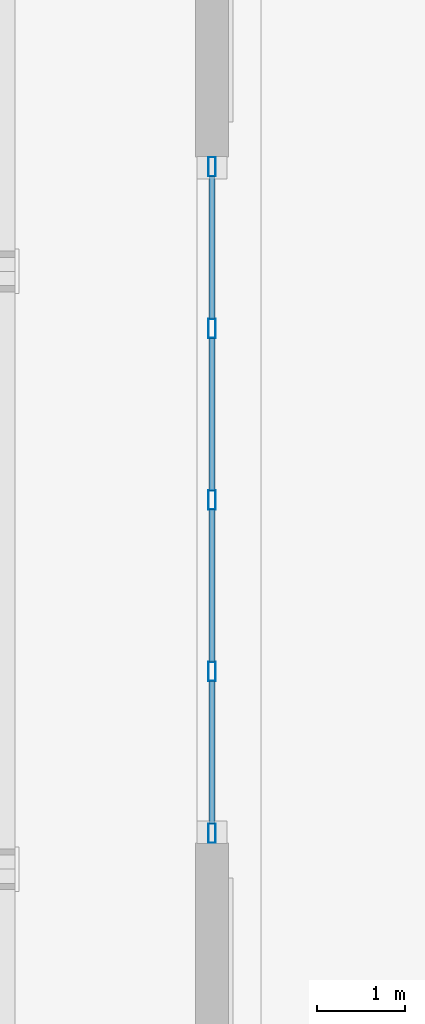
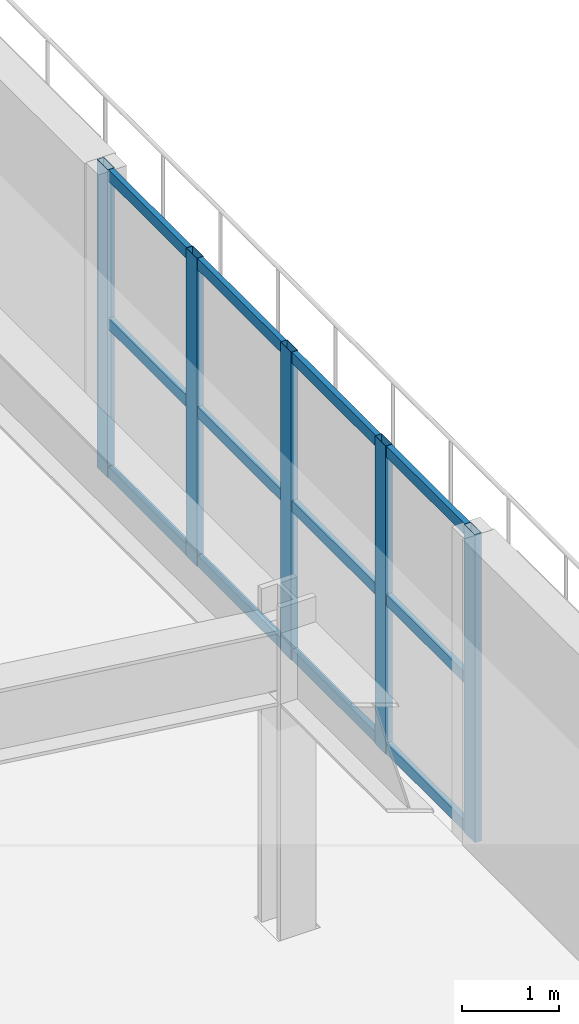
# One storey, part 10 of 22: 17 members, 1 element without a shape of its own.
"""IFC4 building model written with IfcOpenShell, lengths in metres."""

from ifc_helpers import new_model, si_unit, direction, frame, origin, origin_2d, place, context, subcontext, project, spatial, hollow_rectangle, extrude, material, layer, layer_set, material_profile, profile_set, type_object, element, aggregate, save


model = new_model("IFC4")

# Units and contexts
model_context = context("Model", 3, precision=1e-05, world=origin(), true_north=direction((0.0, 1.0)))
body_context = subcontext(model_context, "Body", "Model", "MODEL_VIEW")
ifc_project = project(units=[si_unit("LENGTHUNIT", "METRE"), si_unit("AREAUNIT", "SQUARE_METRE"), si_unit("VOLUMEUNIT", "CUBIC_METRE"), si_unit("PLANEANGLEUNIT", "RADIAN"), si_unit("MASSUNIT", "GRAM", prefix="KILO")], contexts=[model_context])

# Site, building, storey
site_placement = place(None, origin())
site = spatial("IfcSite", under=ifc_project, at=site_placement, CompositionType="ELEMENT")
building_placement = place(site_placement, origin())
building = spatial("IfcBuilding", under=site, at=building_placement, Name="Oramaril Tower", CompositionType="ELEMENT")
storey_placement = place(building_placement, frame((0.0, 0.0, 18.300048828125)))
storey = spatial("IfcBuildingStorey", under=building, at=storey_placement, Name="L04", CompositionType="ELEMENT", Elevation=18.300048828125)

# Curtain wall, members
ifc_material_1 = material(Name="Anodised Aluminium 6063-T6", Category="aluminium")
ifc_layer = layer(ifc_material_1, 0.219970703125)
ifc_layer_set = layer_set([ifc_layer], Name="CWT-SYS2")
curtain_wall_type = type_object("IfcCurtainWallType", Name="CWT-SYS2", PredefinedType="NOTDEFINED", material=ifc_layer_set)
curtain_wall_placement = place(storey_placement, origin())
curtain_wall = element("IfcCurtainWall", 1, at=curtain_wall_placement, inside=storey, type_object=curtain_wall_type, Name="L04 Unitised Curtain Wall CW-2", PredefinedType="NOTDEFINED")
ifc_material_2 = material(Name="Anodised Aluminium 6063-T6", Category="aluminium")
ifc_material_profile_1 = material_profile(ifc_material_2, hollow_rectangle(XDim=0.080078125, YDim=0.219970703125, WallThickness=0.00390625, at=origin_2d()), Name="CWM220X80")
ifc_profile_set_1 = profile_set([ifc_material_profile_1], Name="Anodised Aluminium 6063-T6")
member_type_1 = type_object("IfcMemberType", Name="MT-CWM1", PredefinedType="MULLION", material=ifc_profile_set_1)
member_1_placement = place(storey_placement, frame((68.85009765625, 19.010009765625, 0.0), z_axis=(0.0, 0.0, 1.0), x_axis=(-1.0, 0.0, 0.0)))
member_1 = element("IfcMember", 2, at=member_1_placement, type_object=member_type_1, Name="CW-2 mullion 1", PredefinedType="MULLION", context=body_context, shape_type="SweptSolid", body=[
    extrude(hollow_rectangle(XDim=0.080078125, YDim=0.219970703125, WallThickness=0.00390625, at=origin_2d()), origin(), (0.0, 0.0, 1.0), 3.8798828125),
])
member_2_placement = place(storey_placement, frame((68.85009765625, 20.85009765625, 0.0), z_axis=(0.0, 0.0, 1.0), x_axis=(-1.0, 0.0, 0.0)))
member_2 = element("IfcMember", 3, at=member_2_placement, type_object=member_type_1, Name="CW-2 mullion 2", PredefinedType="MULLION", context=body_context, shape_type="SweptSolid", body=[
    extrude(hollow_rectangle(XDim=0.080078125, YDim=0.219970703125, WallThickness=0.00390625, at=origin_2d()), origin(), (0.0, 0.0, 1.0), 3.8798828125),
])
member_3_placement = place(storey_placement, frame((68.85009765625, 22.800048828125, 0.0), z_axis=(0.0, 0.0, 1.0), x_axis=(-1.0, 0.0, 0.0)))
member_3 = element("IfcMember", 4, at=member_3_placement, type_object=member_type_1, Name="CW-2 mullion 3", PredefinedType="MULLION", context=body_context, shape_type="SweptSolid", body=[
    extrude(hollow_rectangle(XDim=0.080078125, YDim=0.219970703125, WallThickness=0.00390625, at=origin_2d()), origin(), (0.0, 0.0, 1.0), 3.8798828125),
])
member_4_placement = place(storey_placement, frame((68.85009765625, 24.75, 0.0), z_axis=(0.0, 0.0, 1.0), x_axis=(-1.0, 0.0, 0.0)))
member_4 = element("IfcMember", 5, at=member_4_placement, type_object=member_type_1, Name="CW-2 mullion 4", PredefinedType="MULLION", context=body_context, shape_type="SweptSolid", body=[
    extrude(hollow_rectangle(XDim=0.080078125, YDim=0.219970703125, WallThickness=0.00390625, at=origin_2d()), origin(), (0.0, 0.0, 1.0), 3.8798828125),
])
member_5_placement = place(storey_placement, frame((68.85009765625, 26.590087890625, 0.0), z_axis=(0.0, 0.0, 1.0), x_axis=(-1.0, 0.0, 0.0)))
member_5 = element("IfcMember", 6, at=member_5_placement, type_object=member_type_1, Name="CW-2 mullion 5", PredefinedType="MULLION", context=body_context, shape_type="SweptSolid", body=[
    extrude(hollow_rectangle(XDim=0.080078125, YDim=0.219970703125, WallThickness=0.00390625, at=origin_2d()), origin(), (0.0, 0.0, 1.0), 3.8798828125),
])
ifc_material_3 = material(Name="Anodised Aluminium 6063-T6", Category="aluminium")
ifc_material_profile_2 = material_profile(ifc_material_3, hollow_rectangle(XDim=0.06494140625, YDim=0.139892578125, WallThickness=0.00390625, at=origin_2d()), Name="CWT140X65")
ifc_profile_set_2 = profile_set([ifc_material_profile_2], Name="Anodised Aluminium 6063-T6")
member_type_2 = type_object("IfcMemberType", Name="MT-CWT2", PredefinedType="USERDEFINED", material=ifc_profile_set_2)
member_6_placement = place(storey_placement, frame((68.85009765625, 19.1201171875, 0.070068359375), z_axis=(0.0, 1.0, 0.0), x_axis=(-1.0, 0.0, 0.0)))
member_6 = element("IfcMember", 7, at=member_6_placement, type_object=member_type_2, Name="CW-2 transom 1.1", ObjectType="TRANSOM", PredefinedType="USERDEFINED", context=body_context, shape_type="SweptSolid", body=[
    extrude(hollow_rectangle(XDim=0.06494140625, YDim=0.139892578125, WallThickness=0.00390625, at=origin_2d()), origin(), (0.0, 0.0, 1.0), 1.619873046875),
])
member_7_placement = place(storey_placement, frame((68.85009765625, 19.1201171875, 1.93994140625), z_axis=(0.0, 1.0, 0.0), x_axis=(-1.0, 0.0, 0.0)))
member_7 = element("IfcMember", 8, at=member_7_placement, type_object=member_type_2, Name="CW-2 transom 1.2", ObjectType="TRANSOM", PredefinedType="USERDEFINED", context=body_context, shape_type="SweptSolid", body=[
    extrude(hollow_rectangle(XDim=0.06494140625, YDim=0.139892578125, WallThickness=0.00390625, at=origin_2d()), origin(), (0.0, 0.0, 1.0), 1.619873046875),
])
member_8_placement = place(storey_placement, frame((68.85009765625, 19.1201171875, 3.81005859375), z_axis=(0.0, 1.0, 0.0), x_axis=(-1.0, 0.0, 0.0)))
member_8 = element("IfcMember", 9, at=member_8_placement, type_object=member_type_2, Name="CW-2 transom 1.3", ObjectType="TRANSOM", PredefinedType="USERDEFINED", context=body_context, shape_type="SweptSolid", body=[
    extrude(hollow_rectangle(XDim=0.06494140625, YDim=0.139892578125, WallThickness=0.00390625, at=origin_2d()), origin(), (0.0, 0.0, 1.0), 1.619873046875),
])
member_9_placement = place(storey_placement, frame((68.85009765625, 20.9599609375, 0.070068359375), z_axis=(0.0, 1.0, 0.0), x_axis=(-1.0, 0.0, 0.0)))
member_9 = element("IfcMember", 10, at=member_9_placement, type_object=member_type_2, Name="CW-2 transom 2.1", ObjectType="TRANSOM", PredefinedType="USERDEFINED", context=body_context, shape_type="SweptSolid", body=[
    extrude(hollow_rectangle(XDim=0.06494140625, YDim=0.139892578125, WallThickness=0.00390625, at=origin_2d()), origin(), (0.0, 0.0, 1.0), 1.72998046875),
])
member_10_placement = place(storey_placement, frame((68.85009765625, 20.9599609375, 1.93994140625), z_axis=(0.0, 1.0, 0.0), x_axis=(-1.0, 0.0, 0.0)))
member_10 = element("IfcMember", 11, at=member_10_placement, type_object=member_type_2, Name="CW-2 transom 2.2", ObjectType="TRANSOM", PredefinedType="USERDEFINED", context=body_context, shape_type="SweptSolid", body=[
    extrude(hollow_rectangle(XDim=0.06494140625, YDim=0.139892578125, WallThickness=0.00390625, at=origin_2d()), origin(), (0.0, 0.0, 1.0), 1.72998046875),
])
member_11_placement = place(storey_placement, frame((68.85009765625, 20.9599609375, 3.81005859375), z_axis=(0.0, 1.0, 0.0), x_axis=(-1.0, 0.0, 0.0)))
member_11 = element("IfcMember", 12, at=member_11_placement, type_object=member_type_2, Name="CW-2 transom 2.3", ObjectType="TRANSOM", PredefinedType="USERDEFINED", context=body_context, shape_type="SweptSolid", body=[
    extrude(hollow_rectangle(XDim=0.06494140625, YDim=0.139892578125, WallThickness=0.00390625, at=origin_2d()), origin(), (0.0, 0.0, 1.0), 1.72998046875),
])
member_12_placement = place(storey_placement, frame((68.85009765625, 22.909912109375, 0.070068359375), z_axis=(0.0, 1.0, 0.0), x_axis=(-1.0, 0.0, 0.0)))
member_12 = element("IfcMember", 13, at=member_12_placement, type_object=member_type_2, Name="CW-2 transom 3.1", ObjectType="TRANSOM", PredefinedType="USERDEFINED", context=body_context, shape_type="SweptSolid", body=[
    extrude(hollow_rectangle(XDim=0.06494140625, YDim=0.139892578125, WallThickness=0.00390625, at=origin_2d()), origin(), (0.0, 0.0, 1.0), 1.72998046875),
])
member_13_placement = place(storey_placement, frame((68.85009765625, 22.909912109375, 1.93994140625), z_axis=(0.0, 1.0, 0.0), x_axis=(-1.0, 0.0, 0.0)))
member_13 = element("IfcMember", 14, at=member_13_placement, type_object=member_type_2, Name="CW-2 transom 3.2", ObjectType="TRANSOM", PredefinedType="USERDEFINED", context=body_context, shape_type="SweptSolid", body=[
    extrude(hollow_rectangle(XDim=0.06494140625, YDim=0.139892578125, WallThickness=0.00390625, at=origin_2d()), origin(), (0.0, 0.0, 1.0), 1.72998046875),
])
member_14_placement = place(storey_placement, frame((68.85009765625, 22.909912109375, 3.81005859375), z_axis=(0.0, 1.0, 0.0), x_axis=(-1.0, 0.0, 0.0)))
member_14 = element("IfcMember", 15, at=member_14_placement, type_object=member_type_2, Name="CW-2 transom 3.3", ObjectType="TRANSOM", PredefinedType="USERDEFINED", context=body_context, shape_type="SweptSolid", body=[
    extrude(hollow_rectangle(XDim=0.06494140625, YDim=0.139892578125, WallThickness=0.00390625, at=origin_2d()), origin(), (0.0, 0.0, 1.0), 1.72998046875),
])
member_15_placement = place(storey_placement, frame((68.85009765625, 24.860107421875, 0.070068359375), z_axis=(0.0, 1.0, 0.0), x_axis=(-1.0, 0.0, 0.0)))
member_15 = element("IfcMember", 16, at=member_15_placement, type_object=member_type_2, Name="CW-2 transom 4.1", ObjectType="TRANSOM", PredefinedType="USERDEFINED", context=body_context, shape_type="SweptSolid", body=[
    extrude(hollow_rectangle(XDim=0.06494140625, YDim=0.139892578125, WallThickness=0.00390625, at=origin_2d()), origin(), (0.0, 0.0, 1.0), 1.619873046875),
])
member_16_placement = place(storey_placement, frame((68.85009765625, 24.860107421875, 1.93994140625), z_axis=(0.0, 1.0, 0.0), x_axis=(-1.0, 0.0, 0.0)))
member_16 = element("IfcMember", 17, at=member_16_placement, type_object=member_type_2, Name="CW-2 transom 4.2", ObjectType="TRANSOM", PredefinedType="USERDEFINED", context=body_context, shape_type="SweptSolid", body=[
    extrude(hollow_rectangle(XDim=0.06494140625, YDim=0.139892578125, WallThickness=0.00390625, at=origin_2d()), origin(), (0.0, 0.0, 1.0), 1.619873046875),
])
member_17_placement = place(storey_placement, frame((68.85009765625, 24.860107421875, 3.81005859375), z_axis=(0.0, 1.0, 0.0), x_axis=(-1.0, 0.0, 0.0)))
member_17 = element("IfcMember", 18, at=member_17_placement, type_object=member_type_2, Name="CW-2 transom 4.3", ObjectType="TRANSOM", PredefinedType="USERDEFINED", context=body_context, shape_type="SweptSolid", body=[
    extrude(hollow_rectangle(XDim=0.06494140625, YDim=0.139892578125, WallThickness=0.00390625, at=origin_2d()), origin(), (0.0, 0.0, 1.0), 1.619873046875),
])
aggregate(curtain_wall, [member_1, member_2, member_3, member_4, member_5, member_6, member_7, member_8, member_9, member_10, member_11, member_12, member_13, member_14, member_15, member_16, member_17])

save(model, "model.ifc")
